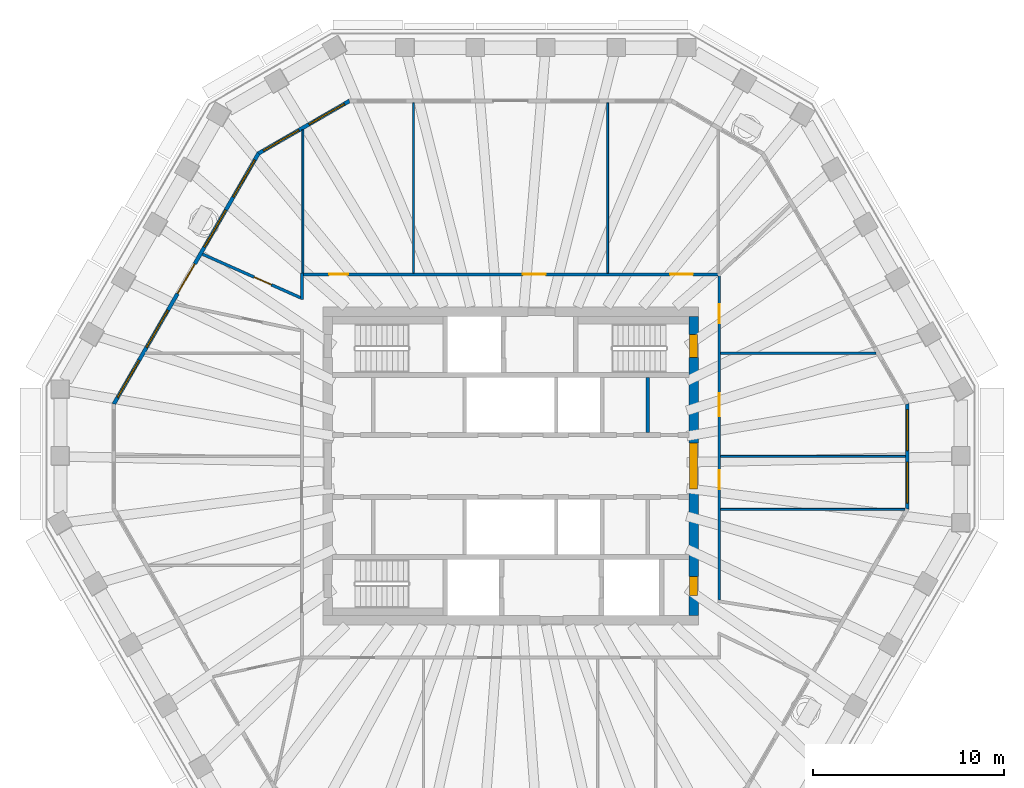
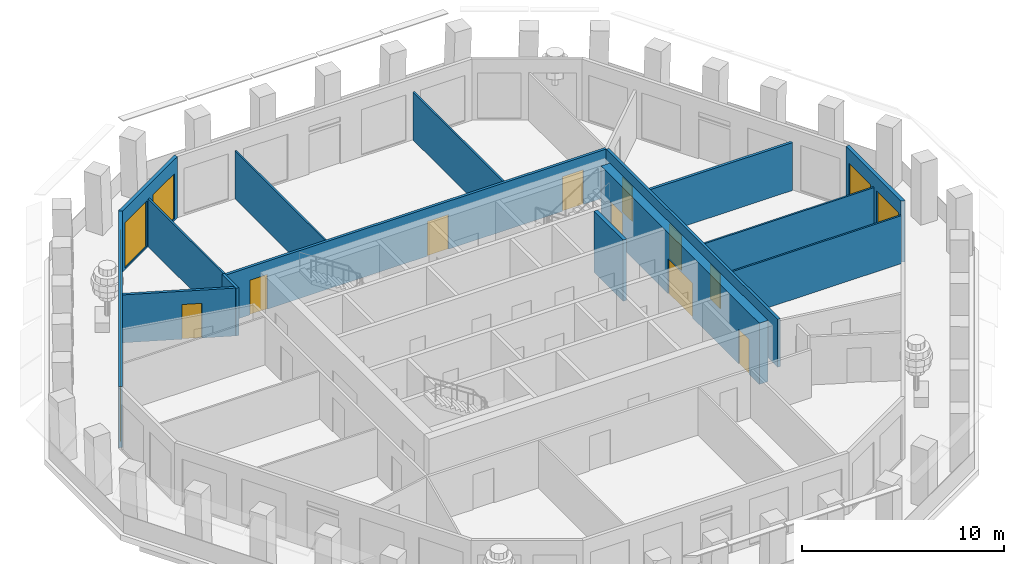
# One storey, part 6 of 11: 15 walls, 11 doors, 9 windows, 20 openings.
"""IFC4 building model written with IfcOpenShell, lengths in metres."""

from ifc_helpers import new_model, si_unit, direction, frame, frame_2d, origin, place, context, subcontext, project, spatial, polyline, rectangle, outline, extrude, material, layer, layer_set, type_object, element, fill, save


model = new_model("IFC4")

# Units and contexts
model_context = context("Model", 3, precision=1e-05, world=origin(), true_north=direction((0.0, 1.0)))
body_context = subcontext(model_context, "Body", "Model", "MODEL_VIEW")
ifc_project = project(units=[si_unit("LENGTHUNIT", "METRE"), si_unit("AREAUNIT", "SQUARE_METRE"), si_unit("VOLUMEUNIT", "CUBIC_METRE"), si_unit("PLANEANGLEUNIT", "RADIAN"), si_unit("MASSUNIT", "GRAM", prefix="KILO")], contexts=[model_context])

# Site, building, storey
site_placement = place(None, origin())
site = spatial("IfcSite", under=ifc_project, at=site_placement, CompositionType="ELEMENT")
building_placement = place(site_placement, origin())
building = spatial("IfcBuilding", under=site, at=building_placement, Name="Frailejon Research Tower", CompositionType="ELEMENT")
storey_placement = place(building_placement, frame((0.0, 0.0, 279.0)))
storey = spatial("IfcBuildingStorey", under=building, at=storey_placement, Name="L61", CompositionType="ELEMENT", Elevation=279.0)

# Wall, openings, doors
ifc_material_1 = material(Name="Concrete C50/60", Category="concrete")
ifc_layer_1 = layer(ifc_material_1, 0.5)
ifc_layer_set_1 = layer_set([ifc_layer_1], Name="Core shear wall 500 C50/60")
wall_type_1 = type_object("IfcWallType", Name="Core shear wall 500 C50/60", PredefinedType="SHEAR", material=ifc_layer_set_1)
wall_1_placement = place(storey_placement, frame((9.60009765625, -7.85009765625, 0.0), z_axis=(0.0, 0.0, 1.0), x_axis=(0.0, 1.0, 0.0)))
wall_1 = element("IfcWall", 1, at=wall_1_placement, inside=storey, type_object=wall_type_1, Name="Core shear wall", PredefinedType="SHEAR", context=body_context, shape_type="SweptSolid", body=[
    extrude(rectangle(XDim=15.7001953125, YDim=0.5, at=frame_2d((7.85009765625, 0.0))), origin(), (0.0, 0.0, 1.0), 3.699951171875),
])
opening_1_placement = place(wall_1_placement, frame((6.64990234375, 0.0, 0.0)))
opening_1 = element("IfcOpeningElement", 2, at=opening_1_placement, cuts=wall_1, Name="Opening D2", PredefinedType="OPENING", context=body_context, shape_type="SweptSolid", body=[
    extrude(rectangle(XDim=2.39990234375, YDim=2.10009765625, at=frame_2d((1.199951171875, 1.050048828125))), frame((0.0, 0.260009765625, 0.0), z_axis=(0.0, -1.0, 0.0), x_axis=(1.0, 0.0, 0.0)), (0.0, 0.0, 1.0), 0.52001953125),
])
opening_2_placement = place(wall_1_placement, frame((13.550048828125, 0.0, 0.0)))
opening_2 = element("IfcOpeningElement", 3, at=opening_2_placement, cuts=wall_1, Name="Opening D1", PredefinedType="OPENING", context=body_context, shape_type="SweptSolid", body=[
    extrude(rectangle(XDim=1.199951171875, YDim=2.10009765625, at=frame_2d((0.60009765625, 1.050048828125))), frame((0.0, 0.260009765625, 0.0), z_axis=(0.0, -1.0, 0.0), x_axis=(1.0, 0.0, 0.0)), (0.0, 0.0, 1.0), 0.52001953125),
])
opening_3_placement = place(wall_1_placement, frame((1.050048828125, 0.0, 0.0)))
opening_3 = element("IfcOpeningElement", 4, at=opening_3_placement, cuts=wall_1, Name="Opening D4", PredefinedType="OPENING", context=body_context, shape_type="SweptSolid", body=[
    extrude(rectangle(XDim=1.0, YDim=2.10009765625, at=frame_2d((0.5, 1.050048828125))), frame((0.0, 0.260009765625, 0.0), z_axis=(0.0, -1.0, 0.0), x_axis=(1.0, 0.0, 0.0)), (0.0, 0.0, 1.0), 0.52001953125),
])
ifc_material_2 = material(Name="Steel", Category="steel")
door_type_1 = type_object("IfcDoorType", Name="Lobby double door", OperationType="DOUBLE_DOOR_SINGLE_SWING", PredefinedType="DOOR", material=ifc_material_2)
door_1_placement = place(opening_1_placement, origin())
door_1 = element("IfcDoor", 5, at=door_1_placement, inside=storey, type_object=door_type_1, Name="Lobby door", OperationType="DOUBLE_DOOR_SINGLE_SWING", OverallHeight=2.10009765625, OverallWidth=2.39990234375, PredefinedType="DOOR", context=body_context, shape_type="SweptSolid", body=[
    extrude(rectangle(XDim=2.39990234375, YDim=2.10009765625, at=frame_2d((1.199951171875, 1.050048828125))), frame((0.0, 0.199951171875, 0.0), z_axis=(0.0, -1.0, 0.0), x_axis=(1.0, 0.0, 0.0)), (0.0, 0.0, 1.0), 0.39990234375),
])
fill(opening_1, door_1)
ifc_material_3 = material(Name="Steel", Category="steel")
door_type_2 = type_object("IfcDoorType", Name="Service door", OperationType="SINGLE_SWING_LEFT", PredefinedType="DOOR", material=ifc_material_3)
door_2_placement = place(opening_3_placement, origin())
door_2 = element("IfcDoor", 6, at=door_2_placement, inside=storey, type_object=door_type_2, Name="Riser door", OperationType="SINGLE_SWING_LEFT", OverallHeight=2.10009765625, OverallWidth=1.0, PredefinedType="DOOR", context=body_context, shape_type="SweptSolid", body=[
    extrude(rectangle(XDim=1.0, YDim=2.10009765625, at=frame_2d((0.5, 1.050048828125))), frame((0.0, 0.199951171875, 0.0), z_axis=(0.0, -1.0, 0.0), x_axis=(1.0, 0.0, 0.0)), (0.0, 0.0, 1.0), 0.39990234375),
])
fill(opening_3, door_2)
ifc_material_4 = material(Name="Steel", Category="steel")
door_type_3 = type_object("IfcDoorType", Name="Stair door", OperationType="SINGLE_SWING_LEFT", PredefinedType="DOOR", material=ifc_material_4)
door_3_placement = place(opening_2_placement, origin())
door_3 = element("IfcDoor", 7, at=door_3_placement, inside=storey, type_object=door_type_3, Name="Stair door ST3", OperationType="SINGLE_SWING_RIGHT", OverallHeight=2.10009765625, OverallWidth=1.199951171875, PredefinedType="DOOR", context=body_context, shape_type="SweptSolid", body=[
    extrude(rectangle(XDim=1.199951171875, YDim=2.10009765625, at=frame_2d((0.60009765625, 1.050048828125))), frame((0.0, 0.199951171875, 0.0), z_axis=(0.0, -1.0, 0.0), x_axis=(1.0, 0.0, 0.0)), (0.0, 0.0, 1.0), 0.39990234375),
])
fill(opening_2, door_3)

# Wall, opening, door
ifc_material_5 = material(Name="Gypsum board and masonry partition", Category="masonry")
ifc_layer_2 = layer(ifc_material_5, 0.14990234375)
ifc_layer_set_2 = layer_set([ifc_layer_2], Name="Corridor wall EI 60, gypsum on steel studs 150")
wall_type_2 = type_object("IfcWallType", Name="Corridor wall EI 60, gypsum on steel studs 150", PredefinedType="PARTITIONING", material=ifc_layer_set_2)
wall_2_placement = place(storey_placement, frame((-16.1611328125, 11.11376953125, 0.0), z_axis=(0.0, 0.0, 1.0), x_axis=(0.913952844082, -0.405820402141, 0.0)))
wall_2 = element("IfcWall", 8, at=wall_2_placement, inside=storey, type_object=wall_type_2, Name="T:IW:L61:001", PredefinedType="PARTITIONING", context=body_context, shape_type="SweptSolid", body=[
    extrude(rectangle(XDim=5.626708984375, YDim=0.14990234375, at=frame_2d((2.8134765625, 0.0))), origin(), (0.0, 0.0, 1.0), 2.89990234375),
])
opening_4_placement = place(wall_2_placement, frame((2.951171875, 0.0, 0.0)))
opening_4 = element("IfcOpeningElement", 9, at=opening_4_placement, cuts=wall_2, Name="Opening D2175", PredefinedType="OPENING", context=body_context, shape_type="SweptSolid", body=[
    extrude(rectangle(XDim=1.0, YDim=2.10009765625, at=frame_2d((0.5, 1.050048828125))), frame((0.0, 0.0849609375, 0.0), z_axis=(0.0, -1.0, 0.0), x_axis=(1.0, 0.0, 0.0)), (0.0, 0.0, 1.0), 0.169921875),
])
ifc_material_6 = material(Name="Timber door leaf", Category="wood")
door_type_4 = type_object("IfcDoorType", Name="Door single leaf, timber, steel frame 1000", OperationType="NOTDEFINED", PredefinedType="DOOR", material=ifc_material_6)
door_4_placement = place(opening_4_placement, origin())
door_4 = element("IfcDoor", 10, at=door_4_placement, inside=storey, type_object=door_type_4, Name="D2175", OperationType="SINGLE_SWING_RIGHT", OverallHeight=2.10009765625, OverallWidth=1.0, PredefinedType="DOOR", context=body_context, shape_type="SweptSolid", body=[
    extrude(rectangle(XDim=1.0, YDim=2.10009765625, at=frame_2d((0.5, 1.050048828125))), frame((0.0, 0.02490234375, 0.0), z_axis=(0.0, -1.0, 0.0), x_axis=(1.0, 0.0, 0.0)), (0.0, 0.0, 1.0), 0.050048828125),
])
fill(opening_4, door_4)

# Wall, openings, doors
wall_3_placement = place(storey_placement, frame((10.949951171875, -7.02490234375, 0.0), z_axis=(0.0, 0.0, 1.0), x_axis=(0.0, 1.0, 0.0)))
wall_3 = element("IfcWall", 11, at=wall_3_placement, inside=storey, type_object=wall_type_2, Name="T:IW:L61:004", PredefinedType="PARTITIONING", context=body_context, shape_type="SweptSolid", body=[
    extrude(rectangle(XDim=17.0, YDim=0.14990234375, at=frame_2d((8.5, 0.0))), origin(), (0.0, 0.0, 1.0), 2.89990234375),
])
opening_5_placement = place(wall_3_placement, frame((9.635986328125, 0.0, 0.0)))
opening_5 = element("IfcOpeningElement", 12, at=opening_5_placement, cuts=wall_3, Name="Opening D2169", PredefinedType="OPENING", context=body_context, shape_type="SweptSolid", body=[
    extrude(rectangle(XDim=1.199951171875, YDim=2.10009765625, at=frame_2d((0.60009765625, 1.050048828125))), frame((0.0, 0.0849609375, 0.0), z_axis=(0.0, -1.0, 0.0), x_axis=(1.0, 0.0, 0.0)), (0.0, 0.0, 1.0), 0.169921875),
])
opening_6_placement = place(wall_3_placement, frame((14.509765625, 0.0, 0.0)))
opening_6 = element("IfcOpeningElement", 13, at=opening_6_placement, cuts=wall_3, Name="Opening D2170", PredefinedType="OPENING", context=body_context, shape_type="SweptSolid", body=[
    extrude(rectangle(XDim=1.0, YDim=2.10009765625, at=frame_2d((0.5, 1.050048828125))), frame((0.0, 0.0849609375, 0.0), z_axis=(0.0, -1.0, 0.0), x_axis=(1.0, 0.0, 0.0)), (0.0, 0.0, 1.0), 0.169921875),
])
opening_7_placement = place(wall_3_placement, frame((5.80029296875, 0.0, 0.0)))
opening_7 = element("IfcOpeningElement", 14, at=opening_7_placement, cuts=wall_3, Name="Opening D2186", PredefinedType="OPENING", context=body_context, shape_type="SweptSolid", body=[
    extrude(rectangle(XDim=1.0, YDim=2.10009765625, at=frame_2d((0.5, 1.050048828125))), frame((0.0, 0.0849609375, 0.0), z_axis=(0.0, -1.0, 0.0), x_axis=(1.0, 0.0, 0.0)), (0.0, 0.0, 1.0), 0.169921875),
])
ifc_material_7 = material(Name="Timber door leaf", Category="wood")
door_type_5 = type_object("IfcDoorType", Name="Door laboratory, timber, vision panel 1000", OperationType="NOTDEFINED", PredefinedType="DOOR", material=ifc_material_7)
door_5_placement = place(opening_6_placement, origin())
door_5 = element("IfcDoor", 15, at=door_5_placement, inside=storey, type_object=door_type_5, Name="D2170", OperationType="SINGLE_SWING_LEFT", OverallHeight=2.10009765625, OverallWidth=1.0, PredefinedType="DOOR", context=body_context, shape_type="SweptSolid", body=[
    extrude(rectangle(XDim=1.0, YDim=2.10009765625, at=frame_2d((0.5, 1.050048828125))), frame((0.0, 0.02490234375, 0.0), z_axis=(0.0, -1.0, 0.0), x_axis=(1.0, 0.0, 0.0)), (0.0, 0.0, 1.0), 0.050048828125),
])
fill(opening_6, door_5)
door_6_placement = place(opening_7_placement, origin())
door_6 = element("IfcDoor", 16, at=door_6_placement, inside=storey, type_object=door_type_4, Name="D2186", OperationType="SINGLE_SWING_RIGHT", OverallHeight=2.10009765625, OverallWidth=1.0, PredefinedType="DOOR", context=body_context, shape_type="SweptSolid", body=[
    extrude(rectangle(XDim=1.0, YDim=2.10009765625, at=frame_2d((0.5, 1.050048828125))), frame((0.0, 0.02490234375, 0.0), z_axis=(0.0, -1.0, 0.0), x_axis=(1.0, 0.0, 0.0)), (0.0, 0.0, 1.0), 0.050048828125),
])
fill(opening_7, door_6)
ifc_material_8 = material(Name="Timber door leaf", Category="wood")
door_type_6 = type_object("IfcDoorType", Name="Door single leaf, timber, steel frame 1200", OperationType="NOTDEFINED", PredefinedType="DOOR", material=ifc_material_8)
door_7_placement = place(opening_5_placement, origin())
door_7 = element("IfcDoor", 17, at=door_7_placement, inside=storey, type_object=door_type_6, Name="D2169", OperationType="DOUBLE_DOOR_SINGLE_SWING", OverallHeight=2.10009765625, OverallWidth=1.199951171875, PredefinedType="DOOR", context=body_context, shape_type="SweptSolid", body=[
    extrude(rectangle(XDim=1.199951171875, YDim=2.10009765625, at=frame_2d((0.60009765625, 1.050048828125))), frame((0.0, 0.02490234375, 0.0), z_axis=(0.0, -1.0, 0.0), x_axis=(1.0, 0.0, 0.0)), (0.0, 0.0, 1.0), 0.050048828125),
])
fill(opening_5, door_7)

wall_4_placement = place(storey_placement, frame((-10.875, 10.050048828125, 0.0), z_axis=(0.0, 0.0, 1.0), x_axis=(1.0, 0.0, 0.0)))
wall_4 = element("IfcWall", 18, at=wall_4_placement, inside=storey, type_object=wall_type_2, Name="T:IW:L61:005", PredefinedType="PARTITIONING", context=body_context, shape_type="SweptSolid", body=[
    extrude(rectangle(XDim=21.75, YDim=0.14990234375, at=frame_2d((10.875, 0.0))), origin(), (0.0, 0.0, 1.0), 2.89990234375),
])
opening_8_placement = place(wall_4_placement, frame((19.2421875, 0.0, 0.0)))
opening_8 = element("IfcOpeningElement", 19, at=opening_8_placement, cuts=wall_4, Name="Opening D2172", PredefinedType="OPENING", context=body_context, shape_type="SweptSolid", body=[
    extrude(rectangle(XDim=1.199951171875, YDim=2.10009765625, at=frame_2d((0.60009765625, 1.050048828125))), frame((0.0, 0.0849609375, 0.0), z_axis=(0.0, -1.0, 0.0), x_axis=(1.0, 0.0, 0.0)), (0.0, 0.0, 1.0), 0.169921875),
])
opening_9_placement = place(wall_4_placement, frame((11.517578125, 0.0, 0.0)))
opening_9 = element("IfcOpeningElement", 20, at=opening_9_placement, cuts=wall_4, Name="Opening D2173", PredefinedType="OPENING", context=body_context, shape_type="SweptSolid", body=[
    extrude(rectangle(XDim=1.199951171875, YDim=2.10009765625, at=frame_2d((0.60009765625, 1.050048828125))), frame((0.0, 0.0849609375, 0.0), z_axis=(0.0, -1.0, 0.0), x_axis=(1.0, 0.0, 0.0)), (0.0, 0.0, 1.0), 0.169921875),
])
opening_10_placement = place(wall_4_placement, frame((1.357666015625, 0.0, 0.0)))
opening_10 = element("IfcOpeningElement", 21, at=opening_10_placement, cuts=wall_4, Name="Opening D2174", PredefinedType="OPENING", context=body_context, shape_type="SweptSolid", body=[
    extrude(rectangle(XDim=1.0, YDim=2.10009765625, at=frame_2d((0.5, 1.050048828125))), frame((0.0, 0.0849609375, 0.0), z_axis=(0.0, -1.0, 0.0), x_axis=(1.0, 0.0, 0.0)), (0.0, 0.0, 1.0), 0.169921875),
])
door_8_placement = place(opening_10_placement, origin())
door_8 = element("IfcDoor", 22, at=door_8_placement, inside=storey, type_object=door_type_4, Name="D2174", OperationType="SINGLE_SWING_LEFT", OverallHeight=2.10009765625, OverallWidth=1.0, PredefinedType="DOOR", context=body_context, shape_type="SweptSolid", body=[
    extrude(rectangle(XDim=1.0, YDim=2.10009765625, at=frame_2d((0.5, 1.050048828125))), frame((0.0, 0.02490234375, 0.0), z_axis=(0.0, -1.0, 0.0), x_axis=(1.0, 0.0, 0.0)), (0.0, 0.0, 1.0), 0.050048828125),
])
fill(opening_10, door_8)
door_9_placement = place(opening_8_placement, origin())
door_9 = element("IfcDoor", 23, at=door_9_placement, inside=storey, type_object=door_type_6, Name="D2172", OperationType="DOUBLE_DOOR_SINGLE_SWING", OverallHeight=2.10009765625, OverallWidth=1.199951171875, PredefinedType="DOOR", context=body_context, shape_type="SweptSolid", body=[
    extrude(rectangle(XDim=1.199951171875, YDim=2.10009765625, at=frame_2d((0.60009765625, 1.050048828125))), frame((0.0, 0.02490234375, 0.0), z_axis=(0.0, -1.0, 0.0), x_axis=(1.0, 0.0, 0.0)), (0.0, 0.0, 1.0), 0.050048828125),
])
fill(opening_8, door_9)
door_10_placement = place(opening_9_placement, origin())
door_10 = element("IfcDoor", 24, at=door_10_placement, inside=storey, type_object=door_type_6, Name="D2173", OperationType="DOUBLE_DOOR_SINGLE_SWING", OverallHeight=2.10009765625, OverallWidth=1.199951171875, PredefinedType="DOOR", context=body_context, shape_type="SweptSolid", body=[
    extrude(rectangle(XDim=1.199951171875, YDim=2.10009765625, at=frame_2d((0.60009765625, 1.050048828125))), frame((0.0, 0.02490234375, 0.0), z_axis=(0.0, -1.0, 0.0), x_axis=(1.0, 0.0, 0.0)), (0.0, 0.0, 1.0), 0.050048828125),
])
fill(opening_9, door_10)

# Walls
wall_5_placement = place(storey_placement, frame((-10.949951171875, 8.72509765625, 0.0), z_axis=(0.0, 0.0, 1.0), x_axis=(0.0, 1.0, 0.0)))
element("IfcWall", 25, at=wall_5_placement, inside=storey, type_object=wall_type_2, Name="T:IW:L61:007", PredefinedType="PARTITIONING", context=body_context, shape_type="SweptSolid", body=[
    extrude(rectangle(XDim=1.39990234375, YDim=0.14990234375, at=frame_2d((0.699951171875, 0.0))), origin(), (0.0, 0.0, 1.0), 2.89990234375),
])
ifc_material_9 = material(Name="Gypsum board and masonry partition", Category="masonry")
ifc_layer_3 = layer(ifc_material_9, 0.14990234375)
ifc_layer_set_3 = layer_set([ifc_layer_3], Name="Laboratory partition, blockwork 150")
wall_type_3 = type_object("IfcWallType", Name="Laboratory partition, blockwork 150", PredefinedType="PARTITIONING", material=ifc_layer_set_3)
wall_6_placement = place(storey_placement, frame((11.02490234375, 5.91943359375, 0.0), z_axis=(0.0, 0.0, 1.0), x_axis=(1.0, 0.0, 0.0)))
element("IfcWall", 26, at=wall_6_placement, inside=storey, type_object=wall_type_3, Name="T:IW:L61:011", PredefinedType="PARTITIONING", context=body_context, shape_type="SweptSolid", body=[
    extrude(rectangle(XDim=8.13525390625, YDim=0.14990234375, at=frame_2d((4.067626953125, 0.0))), origin(), (0.0, 0.0, 1.0), 2.89990234375),
])
ifc_material_10 = material(Name="Gypsum board and masonry partition", Category="masonry")
ifc_layer_4 = layer(ifc_material_10, 0.10009765625)
ifc_layer_set_4 = layer_set([ifc_layer_4], Name="Partition, gypsum on steel studs 100")
wall_type_4 = type_object("IfcWallType", Name="Partition, gypsum on steel studs 100", PredefinedType="PARTITIONING", material=ifc_layer_set_4)
wall_7_placement = place(storey_placement, frame((11.02490234375, 0.502685546875, 0.0), z_axis=(0.0, 0.0, 1.0), x_axis=(1.0, 0.0, 0.0)))
element("IfcWall", 27, at=wall_7_placement, inside=storey, type_object=wall_type_4, Name="T:IW:L61:015", PredefinedType="PARTITIONING", context=body_context, shape_type="SweptSolid", body=[
    extrude(rectangle(XDim=9.689208984375, YDim=0.10009765625, at=frame_2d((4.8447265625, 0.0))), origin(), (0.0, 0.0, 1.0), 2.89990234375),
])
for number, where, z_axis, x_axis, name in (
    (28, (5.091796875, 10.125, 0.0), (0.0, 0.0, 1.0), (0.0, 1.0, 0.0), "T:IW:L61:017"),
    (29, (-5.091796875, 10.125, 0.0), (0.0, 0.0, 1.0), (0.0, 1.0, 0.0), "T:IW:L61:018"),
):
    element("IfcWall", number, at=place(storey_placement, frame(where, z_axis=z_axis, x_axis=x_axis)), inside=storey, type_object=wall_type_4, Name=name, PredefinedType="PARTITIONING", context=body_context, shape_type="SweptSolid", body=[
        extrude(rectangle(XDim=8.925048828125, YDim=0.10009765625, at=frame_2d((4.46240234375, 0.0))), origin(), (0.0, 0.0, 1.0), 2.89990234375),
    ])
wall_8_placement = place(storey_placement, frame((-10.892578125, 10.125, 0.0), z_axis=(0.0, 0.0, 1.0), x_axis=(0.0, 1.0, 0.0)))
element("IfcWall", 30, at=wall_8_placement, inside=storey, type_object=wall_type_4, Name="T:IW:L61:019", PredefinedType="PARTITIONING", context=body_context, shape_type="SweptSolid", body=[
    extrude(rectangle(XDim=7.5048828125, YDim=0.10009765625, at=frame_2d((3.75244140625, 0.0))), origin(), (0.0, 0.0, 1.0), 2.89990234375),
])
wall_9_placement = place(storey_placement, frame((11.02490234375, -2.275634765625, 0.0), z_axis=(0.0, 0.0, 1.0), x_axis=(1.0, 0.0, 0.0)))
element("IfcWall", 31, at=wall_9_placement, inside=storey, type_object=wall_type_4, Name="T:IW:L61:026", PredefinedType="PARTITIONING", context=body_context, shape_type="SweptSolid", body=[
    extrude(rectangle(XDim=9.658203125, YDim=0.10009765625, at=frame_2d((4.8291015625, 0.0))), origin(), (0.0, 0.0, 1.0), 2.89990234375),
])
ifc_material_11 = material(Name="Concrete C50/60", Category="concrete")
ifc_layer_5 = layer(ifc_material_11, 0.199951171875)
ifc_layer_set_5 = layer_set([ifc_layer_5], Name="Shaft wall 200 C50/60")
wall_type_5 = type_object("IfcWallType", Name="Shaft wall 200 C50/60", PredefinedType="SOLIDWALL", material=ifc_layer_set_5)
wall_10_placement = place(storey_placement, frame((7.199951171875, 1.75, 0.0), z_axis=(0.0, 0.0, 1.0), x_axis=(0.0, 1.0, 0.0)))
element("IfcWall", 32, at=wall_10_placement, inside=storey, type_object=wall_type_5, Name="Shaft wall", PredefinedType="SOLIDWALL", context=body_context, shape_type="SweptSolid", body=[
    extrude(rectangle(XDim=2.89990234375, YDim=0.199951171875, at=frame_2d((1.449951171875, 0.0))), origin(), (0.0, 0.0, 1.0), 3.699951171875),
])

# Wall, openings, windows
ifc_material_12 = material(Name="Concrete C40/50 precast window wall panel", Category="concrete")
ifc_layer_6 = layer(ifc_material_12, 0.199951171875)
ifc_layer_set_6 = layer_set([ifc_layer_6], Name="Window wall 200")
wall_type_6 = type_object("IfcWallType", Name="Window wall 200", PredefinedType="SOLIDWALL", material=ifc_layer_set_6)
wall_11_placement = place(storey_placement, frame((20.814208984375, -2.248779296875, 0.0), z_axis=(0.0, 0.0, 1.0), x_axis=(0.0, 1.0, 0.0)))
wall_11 = element("IfcWall", 33, at=wall_11_placement, inside=storey, type_object=wall_type_6, Name="Exterior wall L61", PredefinedType="SOLIDWALL", context=body_context, shape_type="SweptSolid", body=[
    extrude(outline(polyline([(-0.02685546875, -0.10009765625), (1.08447265625, -0.10009765625), (2.19580078125, -0.10009765625), (3.307373046875, -0.10009765625), (4.418701171875, -0.10009765625), (5.530029296875, -0.10009765625), (5.476318359375, 0.10009765625), (4.386474609375, 0.10009765625), (3.296630859375, 0.10009765625), (2.20654296875, 0.10009765625), (1.11669921875, 0.10009765625), (0.02685546875, 0.10009765625), (-0.02685546875, -0.10009765625)])), origin(), (0.0, 0.0, 1.0), 3.699951171875),
])
opening_11_placement = place(wall_11_placement, frame((0.30078125, 0.0, 0.10009765625)))
opening_11 = element("IfcOpeningElement", 34, at=opening_11_placement, cuts=wall_11, Name="Opening W22", PredefinedType="OPENING", context=body_context, shape_type="SweptSolid", body=[
    extrude(rectangle(XDim=2.14990234375, YDim=2.75, at=frame_2d((1.074951171875, 1.375))), frame((0.0, 0.10986328125, 0.0), z_axis=(0.0, -1.0, 0.0), x_axis=(1.0, 0.0, 0.0)), (0.0, 0.0, 1.0), 0.219970703125),
])
opening_12_placement = place(wall_11_placement, frame((3.052490234375, 0.0, 0.10009765625)))
opening_12 = element("IfcOpeningElement", 35, at=opening_12_placement, cuts=wall_11, Name="Opening W22", PredefinedType="OPENING", context=body_context, shape_type="SweptSolid", body=[
    extrude(rectangle(XDim=2.14990234375, YDim=2.75, at=frame_2d((1.074951171875, 1.375))), frame((0.0, 0.10986328125, 0.0), z_axis=(0.0, -1.0, 0.0), x_axis=(1.0, 0.0, 0.0)), (0.0, 0.0, 1.0), 0.219970703125),
])
ifc_material_13 = material(Name="Aluminium framed double glazing", Category="aluminium")
window_type_1 = type_object("IfcWindowType", Name="Window 2150x2750", PartitioningType="SINGLE_PANEL", PredefinedType="WINDOW", material=ifc_material_13)
window_1_placement = place(opening_11_placement, origin())
window_1 = element("IfcWindow", 36, at=window_1_placement, inside=storey, type_object=window_type_1, Name="Window L61", OverallHeight=2.75, OverallWidth=2.14990234375, PartitioningType="SINGLE_PANEL", PredefinedType="WINDOW", context=body_context, shape_type="SweptSolid", body=[
    extrude(rectangle(XDim=2.14990234375, YDim=2.75, at=frame_2d((1.074951171875, 1.375))), frame((0.0, 0.030029296875, 0.0), z_axis=(0.0, -1.0, 0.0), x_axis=(1.0, 0.0, 0.0)), (0.0, 0.0, 1.0), 0.06005859375),
])
fill(opening_11, window_1)
window_2_placement = place(opening_12_placement, origin())
window_2 = element("IfcWindow", 37, at=window_2_placement, inside=storey, type_object=window_type_1, Name="Window L61", OverallHeight=2.75, OverallWidth=2.14990234375, PartitioningType="SINGLE_PANEL", PredefinedType="WINDOW", context=body_context, shape_type="SweptSolid", body=[
    extrude(rectangle(XDim=2.14990234375, YDim=2.75, at=frame_2d((1.074951171875, 1.375))), frame((0.0, 0.030029296875, 0.0), z_axis=(0.0, -1.0, 0.0), x_axis=(1.0, 0.0, 0.0)), (0.0, 0.0, 1.0), 0.06005859375),
])
fill(opening_12, window_2)

wall_12_placement = place(storey_placement, frame((-8.45947265625, 19.14990234375, 0.0), z_axis=(0.0, 0.0, 1.0), x_axis=(-0.866026017613, -0.499998936816, 0.0)))
wall_12 = element("IfcWall", 38, at=wall_12_placement, inside=storey, type_object=wall_type_6, Name="Exterior wall L61", PredefinedType="SOLIDWALL", context=body_context, shape_type="SweptSolid", body=[
    extrude(outline(polyline([(-0.02685546875, -0.10009765625), (1.08447265625, -0.10009765625), (2.196044921875, -0.10009765625), (3.307373046875, -0.10009765625), (4.4189453125, -0.10009765625), (5.5302734375, -0.10009765625), (5.4765625, 0.10009765625), (4.38671875, 0.10009765625), (3.296630859375, 0.10009765625), (2.206787109375, 0.10009765625), (1.11669921875, 0.10009765625), (0.02685546875, 0.10009765625), (-0.02685546875, -0.10009765625)])), origin(), (0.0, 0.0, 1.0), 3.699951171875),
])
opening_13_placement = place(wall_12_placement, frame((0.30078125, 0.0, 0.10009765625)))
opening_13 = element("IfcOpeningElement", 39, at=opening_13_placement, cuts=wall_12, Name="Opening W22", PredefinedType="OPENING", context=body_context, shape_type="SweptSolid", body=[
    extrude(rectangle(XDim=2.14990234375, YDim=2.75, at=frame_2d((1.074951171875, 1.375))), frame((0.0, 0.10986328125, 0.0), z_axis=(0.0, -1.0, 0.0), x_axis=(1.0, 0.0, 0.0)), (0.0, 0.0, 1.0), 0.219970703125),
])
opening_14_placement = place(wall_12_placement, frame((3.052490234375, 0.0, 0.10009765625)))
opening_14 = element("IfcOpeningElement", 40, at=opening_14_placement, cuts=wall_12, Name="Opening W22", PredefinedType="OPENING", context=body_context, shape_type="SweptSolid", body=[
    extrude(rectangle(XDim=2.14990234375, YDim=2.75, at=frame_2d((1.074951171875, 1.375))), frame((0.0, 0.10986328125, 0.0), z_axis=(0.0, -1.0, 0.0), x_axis=(1.0, 0.0, 0.0)), (0.0, 0.0, 1.0), 0.219970703125),
])
window_3_placement = place(opening_13_placement, origin())
window_3 = element("IfcWindow", 41, at=window_3_placement, inside=storey, type_object=window_type_1, Name="Window L61", OverallHeight=2.75, OverallWidth=2.14990234375, PartitioningType="SINGLE_PANEL", PredefinedType="WINDOW", context=body_context, shape_type="SweptSolid", body=[
    extrude(rectangle(XDim=2.14990234375, YDim=2.75, at=frame_2d((1.074951171875, 1.375))), frame((0.0, 0.030029296875, 0.0), z_axis=(0.0, -1.0, 0.0), x_axis=(1.0, 0.0, 0.0)), (0.0, 0.0, 1.0), 0.06005859375),
])
fill(opening_13, window_3)
window_4_placement = place(opening_14_placement, origin())
window_4 = element("IfcWindow", 42, at=window_4_placement, inside=storey, type_object=window_type_1, Name="Window L61", OverallHeight=2.75, OverallWidth=2.14990234375, PartitioningType="SINGLE_PANEL", PredefinedType="WINDOW", context=body_context, shape_type="SweptSolid", body=[
    extrude(rectangle(XDim=2.14990234375, YDim=2.75, at=frame_2d((1.074951171875, 1.375))), frame((0.0, 0.030029296875, 0.0), z_axis=(0.0, -1.0, 0.0), x_axis=(1.0, 0.0, 0.0)), (0.0, 0.0, 1.0), 0.06005859375),
])
fill(opening_14, window_4)

# Wall, openings, door, windows
wall_13_placement = place(storey_placement, frame((-13.2255859375, 16.398193359375, 0.0), z_axis=(0.0, 0.0, 1.0), x_axis=(-0.50000233518, -0.866024055563, 0.0)))
wall_13 = element("IfcWall", 43, at=wall_13_placement, inside=storey, type_object=wall_type_6, Name="Exterior wall L61", PredefinedType="SOLIDWALL", context=body_context, shape_type="SweptSolid", body=[
    extrude(outline(polyline([(-0.02685546875, -0.10009765625), (0.988525390625, -0.10009765625), (2.00390625, -0.10009765625), (3.019287109375, -0.10009765625), (4.03466796875, -0.10009765625), (5.050048828125, -0.10009765625), (6.0654296875, -0.10009765625), (7.080810546875, -0.10009765625), (8.096435546875, -0.10009765625), (9.11181640625, -0.10009765625), (10.127197265625, -0.10009765625), (11.142578125, -0.10009765625), (12.157958984375, -0.10009765625), (13.17333984375, -0.10009765625), (14.188720703125, -0.10009765625), (15.2041015625, -0.10009765625), (15.150390625, 0.10009765625), (14.14208984375, 0.10009765625), (13.134033203125, 0.10009765625), (12.125732421875, 0.10009765625), (11.117431640625, 0.10009765625), (10.109130859375, 0.10009765625), (9.10107421875, 0.10009765625), (8.0927734375, 0.10009765625), (7.08447265625, 0.10009765625), (6.076171875, 0.10009765625), (5.068115234375, 0.10009765625), (4.059814453125, 0.10009765625), (3.051513671875, 0.10009765625), (2.043212890625, 0.10009765625), (1.03515625, 0.10009765625), (0.02685546875, 0.10009765625), (-0.02685546875, -0.10009765625)])), origin(), (0.0, 0.0, 1.0), 3.699951171875),
])
opening_15_placement = place(wall_13_placement, frame((0.392578125, 0.0, 0.10009765625)))
opening_15 = element("IfcOpeningElement", 44, at=opening_15_placement, cuts=wall_13, Name="Opening W23", PredefinedType="OPENING", context=body_context, shape_type="SweptSolid", body=[
    extrude(rectangle(XDim=2.25, YDim=2.75, at=frame_2d((1.125, 1.375))), frame((0.0, 0.10986328125, 0.0), z_axis=(0.0, -1.0, 0.0), x_axis=(1.0, 0.0, 0.0)), (0.0, 0.0, 1.0), 0.219970703125),
])
opening_16_placement = place(wall_13_placement, frame((3.427978515625, 0.0, 0.10009765625)))
opening_16 = element("IfcOpeningElement", 45, at=opening_16_placement, cuts=wall_13, Name="Opening W23", PredefinedType="OPENING", context=body_context, shape_type="SweptSolid", body=[
    extrude(rectangle(XDim=2.25, YDim=2.75, at=frame_2d((1.125, 1.375))), frame((0.0, 0.10986328125, 0.0), z_axis=(0.0, -1.0, 0.0), x_axis=(1.0, 0.0, 0.0)), (0.0, 0.0, 1.0), 0.219970703125),
])
opening_17_placement = place(wall_13_placement, frame((6.688720703125, 0.0, 0.0)))
opening_17 = element("IfcOpeningElement", 46, at=opening_17_placement, cuts=wall_13, Name="Opening LG61-3", PredefinedType="OPENING", context=body_context, shape_type="SweptSolid", body=[
    extrude(rectangle(XDim=1.800048828125, YDim=2.39990234375, at=frame_2d((0.89990234375, 1.199951171875))), frame((0.0, 0.10986328125, 0.0), z_axis=(0.0, -1.0, 0.0), x_axis=(1.0, 0.0, 0.0)), (0.0, 0.0, 1.0), 0.219970703125),
])
opening_18_placement = place(wall_13_placement, frame((6.688720703125, 0.0, 2.550048828125)))
opening_18 = element("IfcOpeningElement", 47, at=opening_18_placement, cuts=wall_13, Name="Opening W24", PredefinedType="OPENING", context=body_context, shape_type="SweptSolid", body=[
    extrude(rectangle(XDim=1.800048828125, YDim=0.300048828125, at=frame_2d((0.89990234375, 0.14990234375))), frame((0.0, 0.10986328125, 0.0), z_axis=(0.0, -1.0, 0.0), x_axis=(1.0, 0.0, 0.0)), (0.0, 0.0, 1.0), 0.219970703125),
])
opening_19_placement = place(wall_13_placement, frame((9.4990234375, 0.0, 0.10009765625)))
opening_19 = element("IfcOpeningElement", 48, at=opening_19_placement, cuts=wall_13, Name="Opening W23", PredefinedType="OPENING", context=body_context, shape_type="SweptSolid", body=[
    extrude(rectangle(XDim=2.25, YDim=2.75, at=frame_2d((1.125, 1.375))), frame((0.0, 0.10986328125, 0.0), z_axis=(0.0, -1.0, 0.0), x_axis=(1.0, 0.0, 0.0)), (0.0, 0.0, 1.0), 0.219970703125),
])
opening_20_placement = place(wall_13_placement, frame((12.534423828125, 0.0, 0.10009765625)))
opening_20 = element("IfcOpeningElement", 49, at=opening_20_placement, cuts=wall_13, Name="Opening W23", PredefinedType="OPENING", context=body_context, shape_type="SweptSolid", body=[
    extrude(rectangle(XDim=2.25, YDim=2.75, at=frame_2d((1.125, 1.375))), frame((0.0, 0.10986328125, 0.0), z_axis=(0.0, -1.0, 0.0), x_axis=(1.0, 0.0, 0.0)), (0.0, 0.0, 1.0), 0.219970703125),
])
ifc_material_14 = material(Name="Aluminium framed glazed door leaf", Category="aluminium")
door_type_7 = type_object("IfcDoorType", Name="Loggia door 1800x2400", OperationType="DOUBLE_DOOR_SINGLE_SWING", PredefinedType="DOOR", material=ifc_material_14)
door_11_placement = place(opening_17_placement, origin())
door_11 = element("IfcDoor", 50, at=door_11_placement, inside=storey, type_object=door_type_7, Name="Door LG61-3", OperationType="DOUBLE_DOOR_SINGLE_SWING", OverallHeight=2.39990234375, OverallWidth=1.800048828125, PredefinedType="DOOR", context=body_context, shape_type="SweptSolid", body=[
    extrude(rectangle(XDim=1.800048828125, YDim=2.39990234375, at=frame_2d((0.89990234375, 1.199951171875))), frame((0.0, 0.02490234375, 0.0), z_axis=(0.0, -1.0, 0.0), x_axis=(1.0, 0.0, 0.0)), (0.0, 0.0, 1.0), 0.050048828125),
])
fill(opening_17, door_11)
ifc_material_15 = material(Name="Aluminium framed double glazing", Category="aluminium")
window_type_2 = type_object("IfcWindowType", Name="Window 1800x300", PartitioningType="SINGLE_PANEL", PredefinedType="WINDOW", material=ifc_material_15)
window_5_placement = place(opening_18_placement, origin())
window_5 = element("IfcWindow", 51, at=window_5_placement, inside=storey, type_object=window_type_2, Name="Window L61", OverallHeight=0.300048828125, OverallWidth=1.800048828125, PartitioningType="SINGLE_PANEL", PredefinedType="WINDOW", context=body_context, shape_type="SweptSolid", body=[
    extrude(rectangle(XDim=1.800048828125, YDim=0.300048828125, at=frame_2d((0.89990234375, 0.14990234375))), frame((0.0, 0.030029296875, 0.0), z_axis=(0.0, -1.0, 0.0), x_axis=(1.0, 0.0, 0.0)), (0.0, 0.0, 1.0), 0.06005859375),
])
fill(opening_18, window_5)
ifc_material_16 = material(Name="Aluminium framed double glazing", Category="aluminium")
window_type_3 = type_object("IfcWindowType", Name="Window 2250x2750", PartitioningType="SINGLE_PANEL", PredefinedType="WINDOW", material=ifc_material_16)
window_6_placement = place(opening_15_placement, origin())
window_6 = element("IfcWindow", 52, at=window_6_placement, inside=storey, type_object=window_type_3, Name="Window L61", OverallHeight=2.75, OverallWidth=2.25, PartitioningType="SINGLE_PANEL", PredefinedType="WINDOW", context=body_context, shape_type="SweptSolid", body=[
    extrude(rectangle(XDim=2.25, YDim=2.75, at=frame_2d((1.125, 1.375))), frame((0.0, 0.030029296875, 0.0), z_axis=(0.0, -1.0, 0.0), x_axis=(1.0, 0.0, 0.0)), (0.0, 0.0, 1.0), 0.06005859375),
])
fill(opening_15, window_6)
window_7_placement = place(opening_16_placement, origin())
window_7 = element("IfcWindow", 53, at=window_7_placement, inside=storey, type_object=window_type_3, Name="Window L61", OverallHeight=2.75, OverallWidth=2.25, PartitioningType="SINGLE_PANEL", PredefinedType="WINDOW", context=body_context, shape_type="SweptSolid", body=[
    extrude(rectangle(XDim=2.25, YDim=2.75, at=frame_2d((1.125, 1.375))), frame((0.0, 0.030029296875, 0.0), z_axis=(0.0, -1.0, 0.0), x_axis=(1.0, 0.0, 0.0)), (0.0, 0.0, 1.0), 0.06005859375),
])
fill(opening_16, window_7)
window_8_placement = place(opening_19_placement, origin())
window_8 = element("IfcWindow", 54, at=window_8_placement, inside=storey, type_object=window_type_3, Name="Window L61", OverallHeight=2.75, OverallWidth=2.25, PartitioningType="SINGLE_PANEL", PredefinedType="WINDOW", context=body_context, shape_type="SweptSolid", body=[
    extrude(rectangle(XDim=2.25, YDim=2.75, at=frame_2d((1.125, 1.375))), frame((0.0, 0.030029296875, 0.0), z_axis=(0.0, -1.0, 0.0), x_axis=(1.0, 0.0, 0.0)), (0.0, 0.0, 1.0), 0.06005859375),
])
fill(opening_19, window_8)
window_9_placement = place(opening_20_placement, origin())
window_9 = element("IfcWindow", 55, at=window_9_placement, inside=storey, type_object=window_type_3, Name="Window L61", OverallHeight=2.75, OverallWidth=2.25, PartitioningType="SINGLE_PANEL", PredefinedType="WINDOW", context=body_context, shape_type="SweptSolid", body=[
    extrude(rectangle(XDim=2.25, YDim=2.75, at=frame_2d((1.125, 1.375))), frame((0.0, 0.030029296875, 0.0), z_axis=(0.0, -1.0, 0.0), x_axis=(1.0, 0.0, 0.0)), (0.0, 0.0, 1.0), 0.06005859375),
])
fill(opening_20, window_9)

save(model, "model.ifc")
